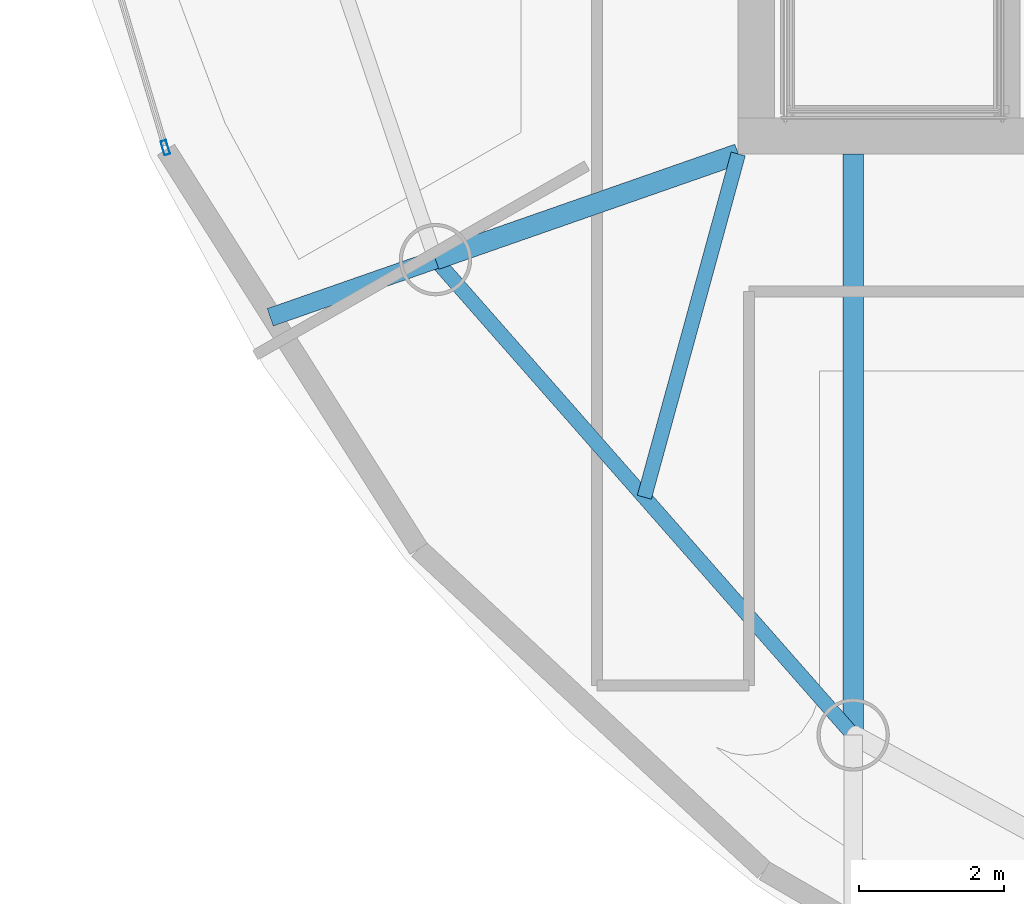
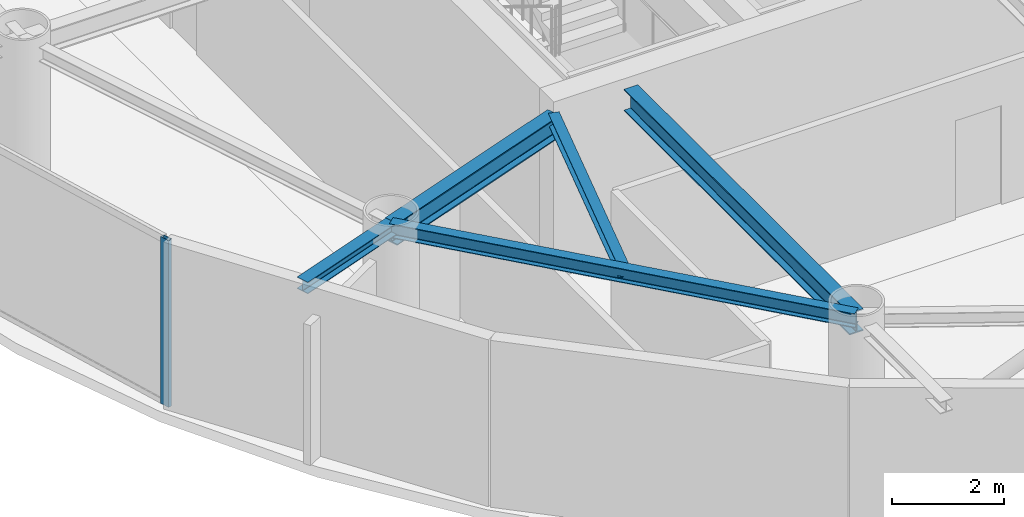
# One storey, part 2 of 23: 5 beams, 1 member, 1 element without a shape of its own.
"""IFC4 building model written with IfcOpenShell, lengths in metres."""

from ifc_helpers import new_model, si_unit, direction, frame, origin, origin_2d, place, context, subcontext, project, spatial, hollow_rectangle, i_section, extrude, material, layer, layer_set, material_profile, profile_set, type_object, element, aggregate, save


model = new_model("IFC4")

# Units and contexts
model_context = context("Model", 3, precision=1e-05, world=origin(), true_north=direction((0.0, 1.0)))
body_context = subcontext(model_context, "Body", "Model", "MODEL_VIEW")
ifc_project = project(units=[si_unit("LENGTHUNIT", "METRE"), si_unit("AREAUNIT", "SQUARE_METRE"), si_unit("VOLUMEUNIT", "CUBIC_METRE"), si_unit("PLANEANGLEUNIT", "RADIAN"), si_unit("MASSUNIT", "GRAM", prefix="KILO")], contexts=[model_context])

# Site, building, storey
site_placement = place(None, origin())
site = spatial("IfcSite", under=ifc_project, at=site_placement, CompositionType="ELEMENT")
building_placement = place(site_placement, origin())
building = spatial("IfcBuilding", under=site, at=building_placement, Name="Bramvorn Convention Spire", CompositionType="ELEMENT")
storey_placement = place(building_placement, frame((0.0, 0.0, 295.949951171875)))
storey = spatial("IfcBuildingStorey", under=building, at=storey_placement, Name="L75", CompositionType="ELEMENT", Elevation=295.949951171875)

# Beams
ifc_material_1 = material(Name="Steel CSA G40.21 Grade 350 (350W)", Category="steel")
ifc_material_profile_1 = material_profile(ifc_material_1, i_section(OverallWidth=0.201904296875, OverallDepth=0.2470703125, WebThickness=0.00732421875, FlangeThickness=0.010986328125, FilletRadius=0.011962890625, at=origin_2d()))
ifc_profile_set_1 = profile_set([ifc_material_profile_1], Name="Steel CSA G40.21 Grade 350 (350W) - W250X49")
beam_type_1 = type_object("IfcBeamType", Name="BM-W250X49", PredefinedType="JOIST", material=ifc_profile_set_1)
beam_1_placement = place(storey_placement, frame((26.75, 18.550048828125, 3.50146484375), z_axis=(-0.26386506219, -0.96455960363, 0.0), x_axis=(0.96455960363, -0.26386506219, 0.0)))
element("IfcBeam", 1, at=beam_1_placement, inside=storey, type_object=beam_type_1, Name="L75 composite floor joist 13", PredefinedType="JOIST", context=body_context, shape_type="SweptSolid", body=[
    extrude(i_section(OverallWidth=0.201904296875, OverallDepth=0.2470703125, WebThickness=0.00732421875, FlangeThickness=0.010986328125, FilletRadius=0.011962890625, at=origin_2d()), origin(), (0.0, 0.0, 1.0), 4.917724609375),
])
ifc_material_profile_2 = material_profile(ifc_material_1, i_section(OverallWidth=0.25390625, OverallDepth=0.2529296875, WebThickness=0.008544921875, FlangeThickness=0.01416015625, FilletRadius=0.011962890625, at=origin_2d()))
ifc_profile_set_2 = profile_set([ifc_material_profile_2], Name="Steel CSA G40.21 Grade 350 (350W) - W250X73")
beam_type_2 = type_object("IfcBeamType", Name="BM-W250X73", PredefinedType="BEAM", material=ifc_profile_set_2)
beam_2_placement = place(storey_placement, frame((22.5673828125, 17.090087890625, 3.49853515625), z_axis=(-0.944138115004, -0.329550026244, 0.0), x_axis=(0.329550026244, -0.944138115004, 0.0)))
element("IfcBeam", 2, at=beam_2_placement, inside=storey, type_object=beam_type_2, Name="L75 slab-edge cantilever tip beam MC13", PredefinedType="BEAM", context=body_context, shape_type="SweptSolid", body=[
    extrude(i_section(OverallWidth=0.25390625, OverallDepth=0.2529296875, WebThickness=0.008544921875, FlangeThickness=0.01416015625, FilletRadius=0.011962890625, at=origin_2d()), origin(), (0.0, 0.0, 1.0), 2.418701171875),
])
ifc_material_profile_3 = material_profile(ifc_material_1, i_section(OverallWidth=0.202880859375, OverallDepth=0.302978515625, WebThickness=0.007568359375, FlangeThickness=0.01318359375, FilletRadius=0.013916015625, at=origin_2d()))
ifc_profile_set_3 = profile_set([ifc_material_profile_3], Name="Steel CSA G40.21 Grade 350 (350W) - W310X60")
beam_type_3 = type_object("IfcBeamType", Name="BM-W310X60", PredefinedType="JOIST", material=ifc_profile_set_3)
beam_3_placement = place(storey_placement, frame((22.5673828125, 17.090087890625, 3.4736328125), z_axis=(0.660073062339, -0.751201405999, 0.0), x_axis=(0.751201405999, 0.660073062339, 0.0)))
element("IfcBeam", 3, at=beam_3_placement, inside=storey, type_object=beam_type_3, Name="L75 mega-column ring beam 13", PredefinedType="JOIST", context=body_context, shape_type="SweptSolid", body=[
    extrude(i_section(OverallWidth=0.202880859375, OverallDepth=0.302978515625, WebThickness=0.007568359375, FlangeThickness=0.01318359375, FilletRadius=0.013916015625, at=origin_2d()), origin(), (0.0, 0.0, 1.0), 8.741943359375),
])
ifc_material_profile_4 = material_profile(ifc_material_1, i_section(OverallWidth=0.283935546875, OverallDepth=0.47607421875, WebThickness=0.014892578125, FlangeThickness=0.02392578125, FilletRadius=0.01806640625, at=origin_2d()))
ifc_profile_set_4 = profile_set([ifc_material_profile_4], Name="Steel CSA G40.21 Grade 350 (350W) - W460X158")
beam_type_4 = type_object("IfcBeamType", Name="BM-W460X158", PredefinedType="SPANDREL", material=ifc_profile_set_4)
beam_4_placement = place(storey_placement, frame((26.75, 18.550048828125, 3.386962890625), z_axis=(-0.944136391877, -0.329554962843, 0.0), x_axis=(0.329554962843, -0.944136391877, 0.0)))
element("IfcBeam", 4, at=beam_4_placement, inside=storey, type_object=beam_type_4, Name="L75 radial floor girder MC13", PredefinedType="SPANDREL", context=body_context, shape_type="SweptSolid", body=[
    extrude(i_section(OverallWidth=0.283935546875, OverallDepth=0.47607421875, WebThickness=0.014892578125, FlangeThickness=0.02392578125, FilletRadius=0.01806640625, at=origin_2d()), origin(), (0.0, 0.0, 1.0), 4.43017578125),
])
beam_5_placement = place(storey_placement, frame((28.337646484375, 18.550048828125, 3.386962890625), z_axis=(0.0, -1.0, 0.0), x_axis=(1.0, 0.0, 0.0)))
element("IfcBeam", 5, at=beam_5_placement, inside=storey, type_object=beam_type_4, Name="L75 radial floor girder MC14", PredefinedType="SPANDREL", context=body_context, shape_type="SweptSolid", body=[
    extrude(i_section(OverallWidth=0.283935546875, OverallDepth=0.47607421875, WebThickness=0.014892578125, FlangeThickness=0.02392578125, FilletRadius=0.01806640625, at=origin_2d()), origin(), (0.0, 0.0, 1.0), 8.02685546875),
])

# Curtain wall, member
ifc_material_2 = material(Name="Anodised Bronze Unitised Curtain Wall", Category="aluminium")
ifc_layer = layer(ifc_material_2, 0.179931640625)
ifc_layer_set = layer_set([ifc_layer], Name="Anodised Bronze Unitised Curtain Wall - CW-OFF-FRIT")
curtain_wall_type = type_object("IfcCurtainWallType", Name="CW-OFF-FRIT", PredefinedType="USERDEFINED", material=ifc_layer_set)
curtain_wall_placement = place(storey_placement, origin())
curtain_wall = element("IfcCurtainWall", 6, at=curtain_wall_placement, inside=storey, type_object=curtain_wall_type, Name="L75 fritted glass curtain wall 18", ObjectType="UNITISED CURTAIN WALL", PredefinedType="USERDEFINED")
ifc_material_3 = material(Name="Anodised Bronze Aluminium 6063-T6", Category="aluminium")
ifc_material_profile_5 = material_profile(ifc_material_3, hollow_rectangle(XDim=0.080078125, YDim=0.199951171875, WallThickness=0.00390625, InnerFilletRadius=0.0009765625, OuterFilletRadius=0.00390625, at=origin_2d()))
ifc_profile_set_5 = profile_set([ifc_material_profile_5], Name="Anodised Bronze Aluminium 6063-T6 - CWM80X200")
member_type = type_object("IfcMemberType", Name="CW-MUL-180", PredefinedType="MULLION", material=ifc_profile_set_5)
member_placement = place(storey_placement, frame((18.834716796875, 18.636962890625, 0.0), z_axis=(0.0, 0.0, 1.0), x_axis=(-0.958477406758, -0.285168477807, 0.0)))
member = element("IfcMember", 7, at=member_placement, type_object=member_type, Name="CW3 mullion 1", PredefinedType="MULLION", context=body_context, shape_type="SweptSolid", body=[
    extrude(hollow_rectangle(XDim=0.080078125, YDim=0.199951171875, WallThickness=0.00390625, InnerFilletRadius=0.0009765625, OuterFilletRadius=0.00390625, at=origin_2d()), origin(), (0.0, 0.0, 1.0), 3.625),
])
aggregate(curtain_wall, [member])

save(model, "model.ifc")
